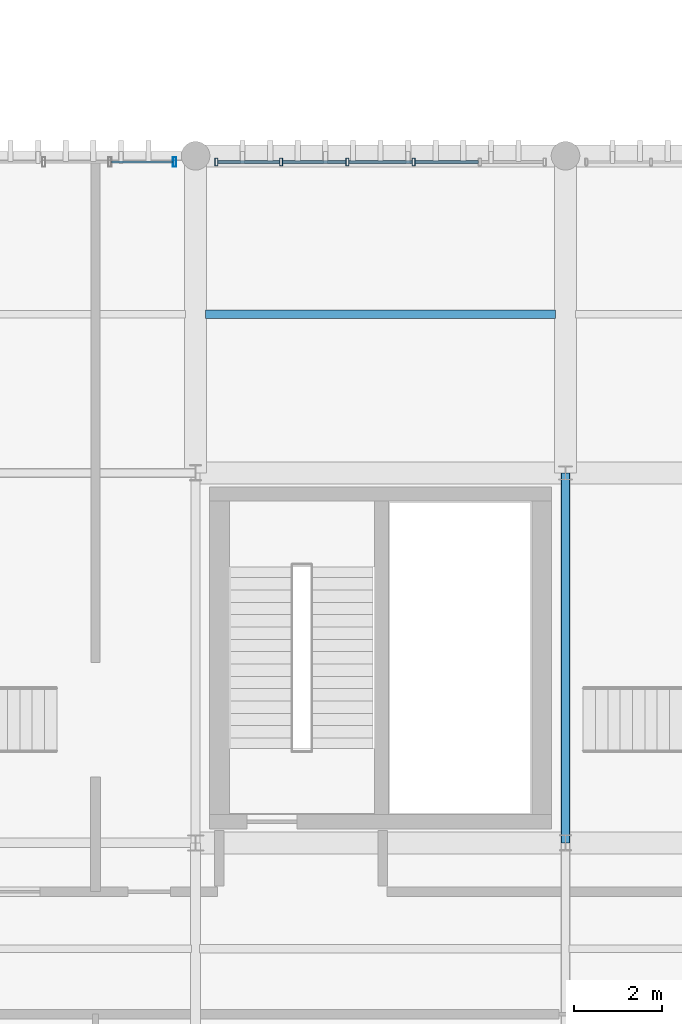
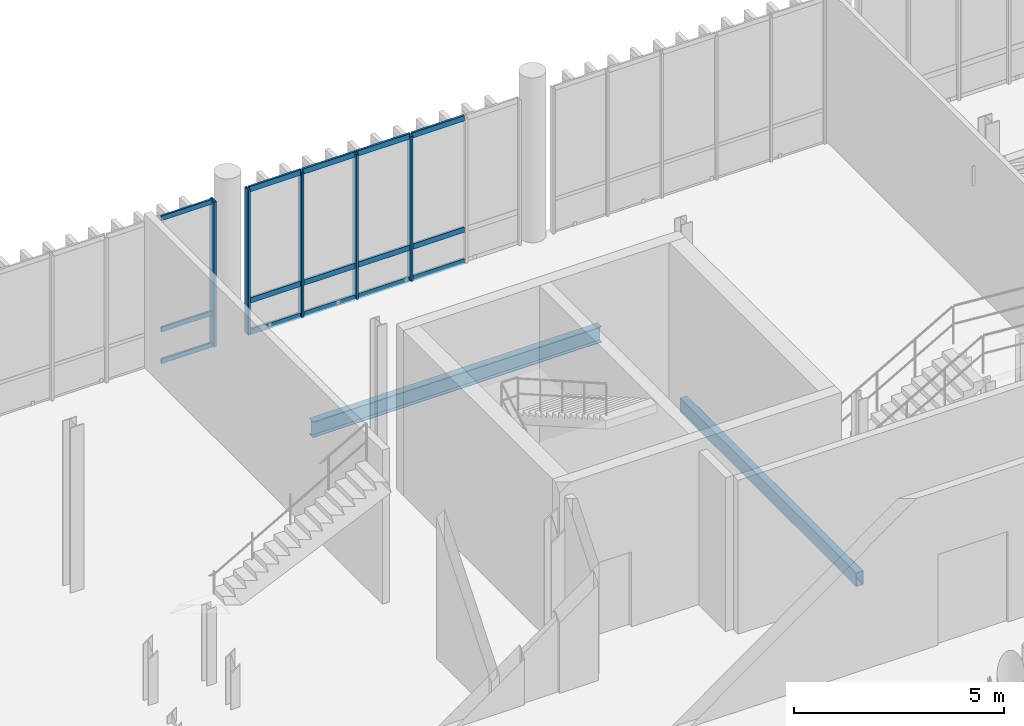
# One storey, part 37 of 86: 20 members, 2 beams, 2 elements without a shape of their own.
"""IFC4 building model written with IfcOpenShell, lengths in metres."""

from ifc_helpers import new_model, si_unit, direction, frame, origin_with_axes, origin_2d_with_axis, place, context, subcontext, project, spatial, hollow_rectangle, i_section, extrude, material, material_profile, profile_set, type_object, element, aggregate, save


model = new_model("IFC4")

# Units and contexts
model_context = context("Model", 3, precision=1e-05, world=origin_with_axes(), true_north=direction((0.0, 1.0)))
body_context = subcontext(model_context, "Body", "Model", "MODEL_VIEW")
ifc_project = project(units=[si_unit("LENGTHUNIT", "METRE"), si_unit("AREAUNIT", "SQUARE_METRE"), si_unit("VOLUMEUNIT", "CUBIC_METRE"), si_unit("PLANEANGLEUNIT", "RADIAN"), si_unit("MASSUNIT", "GRAM", prefix="KILO"), si_unit("THERMODYNAMICTEMPERATUREUNIT", "KELVIN")], contexts=[model_context])

# Site, building, storey
site_placement = place(None, origin_with_axes())
site = spatial("IfcSite", under=ifc_project, at=site_placement, CompositionType="ELEMENT")
building_placement = place(site_placement, origin_with_axes())
building = spatial("IfcBuilding", under=site, at=building_placement, Name="Montbau Bow Law Courts", CompositionType="ELEMENT")
storey_placement = place(building_placement, frame((0.0, 0.0, 29.7), z_axis=(0.0, 0.0, 1.0), x_axis=(1.0, 0.0, 0.0)))
storey = spatial("IfcBuildingStorey", under=building, at=storey_placement, Name="L06", CompositionType="ELEMENT", Elevation=29.7)

# Beams
ifc_material_1 = material(Name="Steel CSA G40.21 Grade 350W (350 MPa)", Category="steel")
ifc_material_profile_1 = material_profile(ifc_material_1, i_section(OverallWidth=0.191, OverallDepth=0.46, WebThickness=0.0099, FlangeThickness=0.016, at=origin_2d_with_axis()), Name="W460X82", Category="Main", Priority=0)
ifc_profile_set_1 = profile_set([ifc_material_profile_1], Name="Steel CSA G40.21 Grade 350W (350 MPa)")
beam_type_1 = type_object("IfcBeamType", Name="B-JST-01", PredefinedType="JOIST", material=ifc_profile_set_1)
beam_1_placement = place(None, frame((80.626, 58.2, 29.13), z_axis=(1.0, 0.0, 0.0), x_axis=(0.0, 1.0, 0.0)))
element("IfcBeam", 1, at=beam_1_placement, inside=storey, type_object=beam_type_1, Name="JST-L06-S0520:jst2_0520", PredefinedType="JOIST", context=body_context, shape_type="SweptSolid", body=[
    extrude(i_section(OverallWidth=0.191, OverallDepth=0.46, WebThickness=0.0099, FlangeThickness=0.016, at=origin_2d_with_axis()), origin_with_axes(), (0.0, 0.0, 1.0), 7.948),
])
ifc_material_2 = material(Name="Steel CSA G40.21 Grade 350WT (350 MPa)", Category="steel")
ifc_material_profile_2 = material_profile(ifc_material_2, hollow_rectangle(XDim=0.203, YDim=0.406, WallThickness=0.0127, InnerFilletRadius=0.0254, OuterFilletRadius=0.0127, at=origin_2d_with_axis()), Name="HSS406X203X13", Category="Main", Priority=0)
ifc_profile_set_2 = profile_set([ifc_material_profile_2], Name="Steel CSA G40.21 Grade 350WT (350 MPa)")
beam_type_2 = type_object("IfcBeamType", Name="B-SPN-01", PredefinedType="SPANDREL", material=ifc_profile_set_2)
beam_2_placement = place(None, frame((88.8, 46.2, 29.157), z_axis=(0.0, 1.0, 0.0), x_axis=(-1.0, 0.0, 0.0)))
element("IfcBeam", 2, at=beam_2_placement, inside=storey, type_object=beam_type_2, Name="SPN-L06-S1013:bm2_1016", PredefinedType="SPANDREL", context=body_context, shape_type="SweptSolid", body=[
    extrude(hollow_rectangle(XDim=0.203, YDim=0.406, WallThickness=0.0127, InnerFilletRadius=0.0254, OuterFilletRadius=0.0127, at=origin_2d_with_axis()), origin_with_axes(), (0.0, 0.0, 1.0), 8.4),
])

# Curtain wall, member
ifc_material_3 = material(Name="Thermally Broken Extruded Aluminium AA 6063-T6", Category="aluminium")
curtain_wall_type = type_object("IfcCurtainWallType", Name="CW-CRM-02", PredefinedType="NOTDEFINED", material=ifc_material_3)
curtain_wall_1_placement = place(None, frame((72.44, 61.66, 29.7), z_axis=(0.0, 0.0, 1.0), x_axis=(1.0, 0.0, 0.0)))
curtain_wall_1 = element("IfcCurtainWall", 3, at=curtain_wall_1_placement, inside=storey, type_object=curtain_wall_type, Name="CW-L06-231:cw_0231", PredefinedType="NOTDEFINED")
ifc_material_profile_3 = material_profile(ifc_material_3, hollow_rectangle(XDim=0.075, YDim=0.22, WallThickness=0.005, InnerFilletRadius=0.01, OuterFilletRadius=0.005, at=origin_2d_with_axis()), Name="CWM-220X75", Category="Main", Priority=0)
ifc_profile_set_3 = profile_set([ifc_material_profile_3], Name="Thermally Broken Extruded Aluminium AA 6063-T6")
member_type_1 = type_object("IfcMemberType", Name="M-MUL-01", PredefinedType="MULLION", material=ifc_profile_set_3)
member_1_placement = place(None, frame((79.922, 61.66, 29.7), z_axis=(0.0, 0.0, 1.0), x_axis=(1.0, 0.0, 0.0)))
member_1 = element("IfcMember", 4, at=member_1_placement, type_object=member_type_1, Name="CW-L06-231-M06:cw_0231_M06", PredefinedType="MULLION", context=body_context, shape_type="SweptSolid", body=[
    extrude(hollow_rectangle(XDim=0.075, YDim=0.22, WallThickness=0.005, InnerFilletRadius=0.01, OuterFilletRadius=0.005, at=origin_2d_with_axis()), origin_with_axes(), (0.0, 0.0, 1.0), 4.22),
])

# Curtain wall, members
curtain_wall_2_placement = place(None, frame((80.84, 61.66, 29.7), z_axis=(0.0, 0.0, 1.0), x_axis=(1.0, 0.0, 0.0)))
curtain_wall_2 = element("IfcCurtainWall", 5, at=curtain_wall_2_placement, inside=storey, type_object=curtain_wall_type, Name="CW-L06-232:cw_0232", PredefinedType="NOTDEFINED")
ifc_material_profile_4 = material_profile(ifc_material_3, hollow_rectangle(XDim=0.065, YDim=0.18, WallThickness=0.005, InnerFilletRadius=0.01, OuterFilletRadius=0.005, at=origin_2d_with_axis()), Name="CWM-180X65", Category="Main", Priority=0)
ifc_profile_set_4 = profile_set([ifc_material_profile_4], Name="Thermally Broken Extruded Aluminium AA 6063-T6")
member_type_2 = type_object("IfcMemberType", Name="M-MUL-02", PredefinedType="MULLION", material=ifc_profile_set_4)
member_2_placement = place(None, frame((80.873, 61.66, 29.7), z_axis=(0.0, 0.0, 1.0), x_axis=(1.0, 0.0, 0.0)))
member_2 = element("IfcMember", 6, at=member_2_placement, type_object=member_type_2, Name="CW-L06-232-M01:cw_0232_M01", PredefinedType="MULLION", context=body_context, shape_type="SweptSolid", body=[
    extrude(hollow_rectangle(XDim=0.065, YDim=0.18, WallThickness=0.005, InnerFilletRadius=0.01, OuterFilletRadius=0.005, at=origin_2d_with_axis()), origin_with_axes(), (0.0, 0.0, 1.0), 4.22),
])
member_3_placement = place(None, frame((82.344, 61.66, 29.7), z_axis=(0.0, 0.0, 1.0), x_axis=(1.0, 0.0, 0.0)))
member_3 = element("IfcMember", 7, at=member_3_placement, type_object=member_type_2, Name="CW-L06-232-M02:cw_0232_M02", PredefinedType="MULLION", context=body_context, shape_type="SweptSolid", body=[
    extrude(hollow_rectangle(XDim=0.065, YDim=0.18, WallThickness=0.005, InnerFilletRadius=0.01, OuterFilletRadius=0.005, at=origin_2d_with_axis()), origin_with_axes(), (0.0, 0.0, 1.0), 4.22),
])
member_4_placement = place(None, frame((83.848, 61.66, 29.7), z_axis=(0.0, 0.0, 1.0), x_axis=(1.0, 0.0, 0.0)))
member_4 = element("IfcMember", 8, at=member_4_placement, type_object=member_type_2, Name="CW-L06-232-M03:cw_0232_M03", PredefinedType="MULLION", context=body_context, shape_type="SweptSolid", body=[
    extrude(hollow_rectangle(XDim=0.065, YDim=0.18, WallThickness=0.005, InnerFilletRadius=0.01, OuterFilletRadius=0.005, at=origin_2d_with_axis()), origin_with_axes(), (0.0, 0.0, 1.0), 4.22),
])
member_5_placement = place(None, frame((85.352, 61.66, 29.7), z_axis=(0.0, 0.0, 1.0), x_axis=(1.0, 0.0, 0.0)))
member_5 = element("IfcMember", 9, at=member_5_placement, type_object=member_type_2, Name="CW-L06-232-M04:cw_0232_M04", PredefinedType="MULLION", context=body_context, shape_type="SweptSolid", body=[
    extrude(hollow_rectangle(XDim=0.065, YDim=0.18, WallThickness=0.005, InnerFilletRadius=0.01, OuterFilletRadius=0.005, at=origin_2d_with_axis()), origin_with_axes(), (0.0, 0.0, 1.0), 4.22),
])
ifc_material_profile_5 = material_profile(ifc_material_3, hollow_rectangle(XDim=0.06, YDim=0.16, WallThickness=0.004, InnerFilletRadius=0.008, OuterFilletRadius=0.004, at=origin_2d_with_axis()), Name="CWT-160X60", Category="Main", Priority=0)
ifc_profile_set_5 = profile_set([ifc_material_profile_5], Name="Thermally Broken Extruded Aluminium AA 6063-T6")
member_type_3 = type_object("IfcMemberType", Name="M-TRN-01", PredefinedType="USERDEFINED", material=ifc_profile_set_5)
member_6_placement = place(None, frame((80.908, 61.66, 29.73), z_axis=(1.0, 0.0, 0.0), x_axis=(0.0, 1.0, 0.0)))
member_6 = element("IfcMember", 10, at=member_6_placement, type_object=member_type_3, Name="CW-L06-232-T01-1:cw_0232_T01_1", ObjectType="TRANSOM", PredefinedType="USERDEFINED", context=body_context, shape_type="SweptSolid", body=[
    extrude(hollow_rectangle(XDim=0.06, YDim=0.16, WallThickness=0.004, InnerFilletRadius=0.008, OuterFilletRadius=0.004, at=origin_2d_with_axis()), origin_with_axes(), (0.0, 0.0, 1.0), 1.402),
])
member_7_placement = place(None, frame((80.908, 61.66, 30.65), z_axis=(1.0, 0.0, 0.0), x_axis=(0.0, 1.0, 0.0)))
member_7 = element("IfcMember", 11, at=member_7_placement, type_object=member_type_3, Name="CW-L06-232-T01-2:cw_0232_T01_2", ObjectType="TRANSOM", PredefinedType="USERDEFINED", context=body_context, shape_type="SweptSolid", body=[
    extrude(hollow_rectangle(XDim=0.06, YDim=0.16, WallThickness=0.004, InnerFilletRadius=0.008, OuterFilletRadius=0.004, at=origin_2d_with_axis()), origin_with_axes(), (0.0, 0.0, 1.0), 1.402),
])
member_8_placement = place(None, frame((80.908, 61.66, 33.89), z_axis=(1.0, 0.0, 0.0), x_axis=(0.0, 1.0, 0.0)))
member_8 = element("IfcMember", 12, at=member_8_placement, type_object=member_type_3, Name="CW-L06-232-T01-3:cw_0232_T01_3", ObjectType="TRANSOM", PredefinedType="USERDEFINED", context=body_context, shape_type="SweptSolid", body=[
    extrude(hollow_rectangle(XDim=0.06, YDim=0.16, WallThickness=0.004, InnerFilletRadius=0.008, OuterFilletRadius=0.004, at=origin_2d_with_axis()), origin_with_axes(), (0.0, 0.0, 1.0), 1.402),
])
member_9_placement = place(None, frame((82.378, 61.66, 29.73), z_axis=(1.0, 0.0, 0.0), x_axis=(0.0, 1.0, 0.0)))
member_9 = element("IfcMember", 13, at=member_9_placement, type_object=member_type_3, Name="CW-L06-232-T02-1:cw_0232_T02_1", ObjectType="TRANSOM", PredefinedType="USERDEFINED", context=body_context, shape_type="SweptSolid", body=[
    extrude(hollow_rectangle(XDim=0.06, YDim=0.16, WallThickness=0.004, InnerFilletRadius=0.008, OuterFilletRadius=0.004, at=origin_2d_with_axis()), origin_with_axes(), (0.0, 0.0, 1.0), 1.436),
])
member_10_placement = place(None, frame((82.378, 61.66, 30.65), z_axis=(1.0, 0.0, 0.0), x_axis=(0.0, 1.0, 0.0)))
member_10 = element("IfcMember", 14, at=member_10_placement, type_object=member_type_3, Name="CW-L06-232-T02-2:cw_0232_T02_2", ObjectType="TRANSOM", PredefinedType="USERDEFINED", context=body_context, shape_type="SweptSolid", body=[
    extrude(hollow_rectangle(XDim=0.06, YDim=0.16, WallThickness=0.004, InnerFilletRadius=0.008, OuterFilletRadius=0.004, at=origin_2d_with_axis()), origin_with_axes(), (0.0, 0.0, 1.0), 1.436),
])
member_11_placement = place(None, frame((82.378, 61.66, 33.89), z_axis=(1.0, 0.0, 0.0), x_axis=(0.0, 1.0, 0.0)))
member_11 = element("IfcMember", 15, at=member_11_placement, type_object=member_type_3, Name="CW-L06-232-T02-3:cw_0232_T02_3", ObjectType="TRANSOM", PredefinedType="USERDEFINED", context=body_context, shape_type="SweptSolid", body=[
    extrude(hollow_rectangle(XDim=0.06, YDim=0.16, WallThickness=0.004, InnerFilletRadius=0.008, OuterFilletRadius=0.004, at=origin_2d_with_axis()), origin_with_axes(), (0.0, 0.0, 1.0), 1.436),
])
member_12_placement = place(None, frame((83.882, 61.66, 29.73), z_axis=(1.0, 0.0, 0.0), x_axis=(0.0, 1.0, 0.0)))
member_12 = element("IfcMember", 16, at=member_12_placement, type_object=member_type_3, Name="CW-L06-232-T03-1:cw_0232_T03_1", ObjectType="TRANSOM", PredefinedType="USERDEFINED", context=body_context, shape_type="SweptSolid", body=[
    extrude(hollow_rectangle(XDim=0.06, YDim=0.16, WallThickness=0.004, InnerFilletRadius=0.008, OuterFilletRadius=0.004, at=origin_2d_with_axis()), origin_with_axes(), (0.0, 0.0, 1.0), 1.436),
])
member_13_placement = place(None, frame((83.882, 61.66, 30.65), z_axis=(1.0, 0.0, 0.0), x_axis=(0.0, 1.0, 0.0)))
member_13 = element("IfcMember", 17, at=member_13_placement, type_object=member_type_3, Name="CW-L06-232-T03-2:cw_0232_T03_2", ObjectType="TRANSOM", PredefinedType="USERDEFINED", context=body_context, shape_type="SweptSolid", body=[
    extrude(hollow_rectangle(XDim=0.06, YDim=0.16, WallThickness=0.004, InnerFilletRadius=0.008, OuterFilletRadius=0.004, at=origin_2d_with_axis()), origin_with_axes(), (0.0, 0.0, 1.0), 1.436),
])
member_14_placement = place(None, frame((83.882, 61.66, 33.89), z_axis=(1.0, 0.0, 0.0), x_axis=(0.0, 1.0, 0.0)))
member_14 = element("IfcMember", 18, at=member_14_placement, type_object=member_type_3, Name="CW-L06-232-T03-3:cw_0232_T03_3", ObjectType="TRANSOM", PredefinedType="USERDEFINED", context=body_context, shape_type="SweptSolid", body=[
    extrude(hollow_rectangle(XDim=0.06, YDim=0.16, WallThickness=0.004, InnerFilletRadius=0.008, OuterFilletRadius=0.004, at=origin_2d_with_axis()), origin_with_axes(), (0.0, 0.0, 1.0), 1.436),
])
member_15_placement = place(None, frame((85.386, 61.66, 29.73), z_axis=(1.0, 0.0, 0.0), x_axis=(0.0, 1.0, 0.0)))
member_15 = element("IfcMember", 19, at=member_15_placement, type_object=member_type_3, Name="CW-L06-232-T04-1:cw_0232_T04_1", ObjectType="TRANSOM", PredefinedType="USERDEFINED", context=body_context, shape_type="SweptSolid", body=[
    extrude(hollow_rectangle(XDim=0.06, YDim=0.16, WallThickness=0.004, InnerFilletRadius=0.008, OuterFilletRadius=0.004, at=origin_2d_with_axis()), origin_with_axes(), (0.0, 0.0, 1.0), 1.436),
])
member_16_placement = place(None, frame((85.386, 61.66, 30.65), z_axis=(1.0, 0.0, 0.0), x_axis=(0.0, 1.0, 0.0)))
member_16 = element("IfcMember", 20, at=member_16_placement, type_object=member_type_3, Name="CW-L06-232-T04-2:cw_0232_T04_2", ObjectType="TRANSOM", PredefinedType="USERDEFINED", context=body_context, shape_type="SweptSolid", body=[
    extrude(hollow_rectangle(XDim=0.06, YDim=0.16, WallThickness=0.004, InnerFilletRadius=0.008, OuterFilletRadius=0.004, at=origin_2d_with_axis()), origin_with_axes(), (0.0, 0.0, 1.0), 1.436),
])
member_17_placement = place(None, frame((85.386, 61.66, 33.89), z_axis=(1.0, 0.0, 0.0), x_axis=(0.0, 1.0, 0.0)))
member_17 = element("IfcMember", 21, at=member_17_placement, type_object=member_type_3, Name="CW-L06-232-T04-3:cw_0232_T04_3", ObjectType="TRANSOM", PredefinedType="USERDEFINED", context=body_context, shape_type="SweptSolid", body=[
    extrude(hollow_rectangle(XDim=0.06, YDim=0.16, WallThickness=0.004, InnerFilletRadius=0.008, OuterFilletRadius=0.004, at=origin_2d_with_axis()), origin_with_axes(), (0.0, 0.0, 1.0), 1.436),
])
aggregate(curtain_wall_2, [member_2, member_3, member_4, member_5, member_6, member_7, member_8, member_9, member_10, member_11, member_12, member_13, member_14, member_15, member_16, member_17])

# Member
ifc_material_profile_6 = material_profile(ifc_material_3, hollow_rectangle(XDim=0.055, YDim=0.14, WallThickness=0.004, InnerFilletRadius=0.008, OuterFilletRadius=0.004, at=origin_2d_with_axis()), Name="CWT-140X55", Category="Main", Priority=0)
ifc_profile_set_6 = profile_set([ifc_material_profile_6], Name="Thermally Broken Extruded Aluminium AA 6063-T6")
member_type_4 = type_object("IfcMemberType", Name="M-TRN-02", PredefinedType="USERDEFINED", material=ifc_profile_set_6)
member_18_placement = place(None, frame((78.495, 61.66, 29.727), z_axis=(1.0, 0.0, 0.0), x_axis=(0.0, 1.0, 0.0)))
member_18 = element("IfcMember", 22, at=member_18_placement, type_object=member_type_4, Name="CW-L06-231-T05-1:cw_0231_T05_1", ObjectType="TRANSOM", PredefinedType="USERDEFINED", context=body_context, shape_type="SweptSolid", body=[
    extrude(hollow_rectangle(XDim=0.055, YDim=0.14, WallThickness=0.004, InnerFilletRadius=0.008, OuterFilletRadius=0.004, at=origin_2d_with_axis()), origin_with_axes(), (0.0, 0.0, 1.0), 1.388),
])

member_19_placement = place(None, frame((78.495, 61.66, 30.65), z_axis=(1.0, 0.0, 0.0), x_axis=(0.0, 1.0, 0.0)))
member_19 = element("IfcMember", 23, at=member_19_placement, type_object=member_type_4, Name="CW-L06-231-T05-2:cw_0231_T05_2", ObjectType="TRANSOM", PredefinedType="USERDEFINED", context=body_context, shape_type="SweptSolid", body=[
    extrude(hollow_rectangle(XDim=0.055, YDim=0.14, WallThickness=0.004, InnerFilletRadius=0.008, OuterFilletRadius=0.004, at=origin_2d_with_axis()), origin_with_axes(), (0.0, 0.0, 1.0), 1.388),
])

member_20_placement = place(None, frame((78.495, 61.66, 33.892), z_axis=(1.0, 0.0, 0.0), x_axis=(0.0, 1.0, 0.0)))
member_20 = element("IfcMember", 24, at=member_20_placement, type_object=member_type_4, Name="CW-L06-231-T05-3:cw_0231_T05_3", ObjectType="TRANSOM", PredefinedType="USERDEFINED", context=body_context, shape_type="SweptSolid", body=[
    extrude(hollow_rectangle(XDim=0.055, YDim=0.14, WallThickness=0.004, InnerFilletRadius=0.008, OuterFilletRadius=0.004, at=origin_2d_with_axis()), origin_with_axes(), (0.0, 0.0, 1.0), 1.388),
])

aggregate(curtain_wall_1, [member_1, member_18, member_19, member_20])

save(model, "model.ifc")
